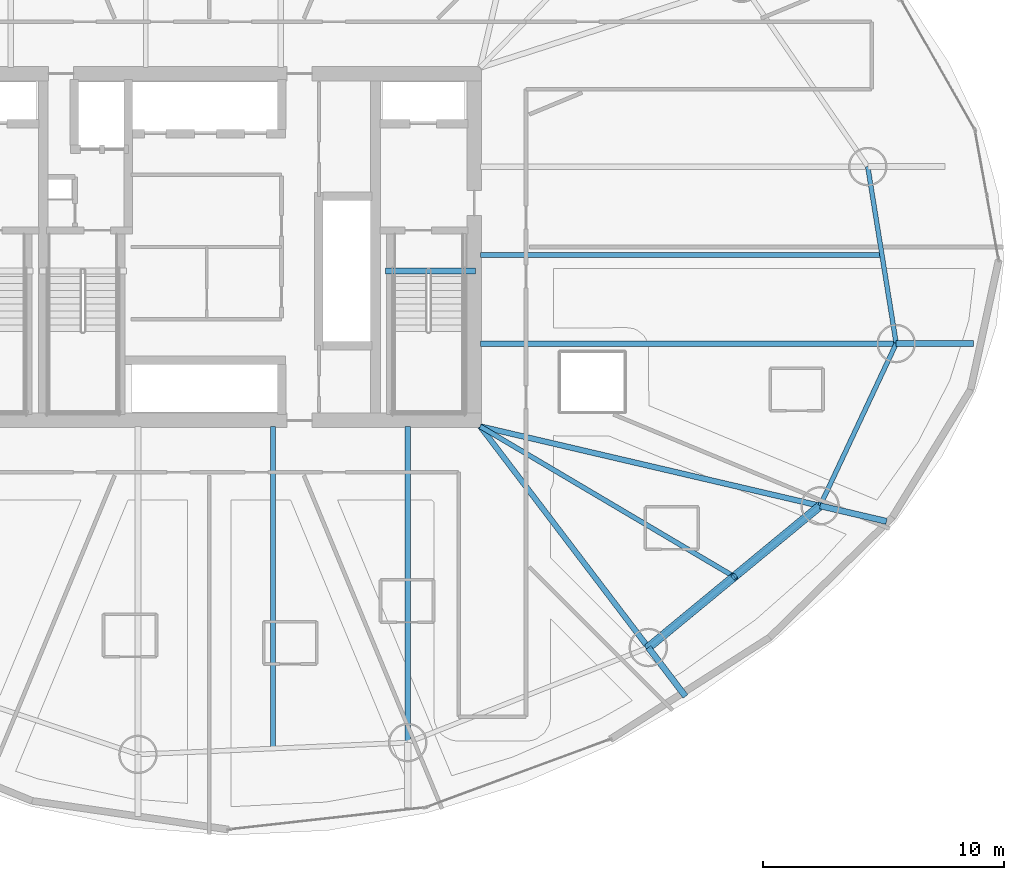
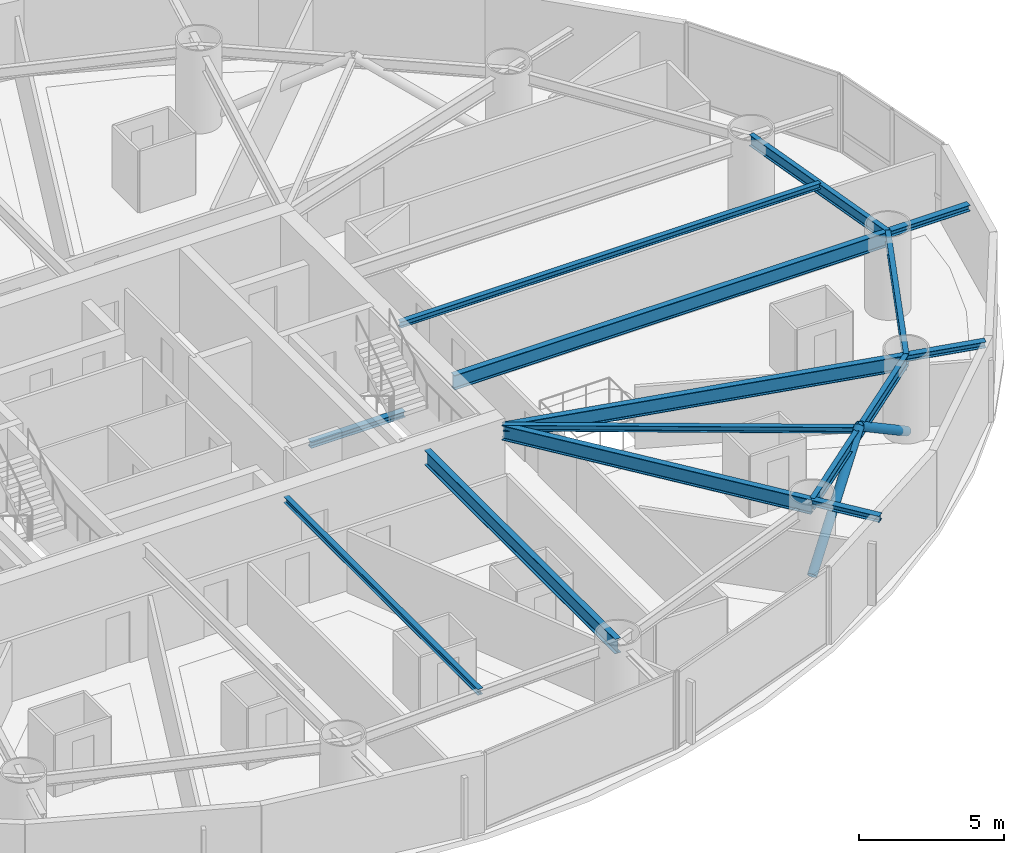
# One storey, part 10 of 27: 14 beams, 2 members.
"""IFC4 building model written with IfcOpenShell, lengths in metres."""

import ifcopenshell
import ifcopenshell.guid

model = None  # the IFC model being written
_history = None  # IfcOwnerHistory: only IFC2X3 demands one
_inside = {}  # id of a spatial element -> (the spatial element, [elements in it])
_under = {}  # id of a project, library or spatial element -> (it, [spatial elements below it])
_declared = {}  # id of a project -> (the project, [libraries it declares])
_typed = {}  # id of a type object -> (the type object, [elements of that type])
_made_of = {}  # id of a material, layer set ... -> (it, [elements and type objects made of it])


def new_model(schema):
    """Start an empty IFC model of exactly this schema.

    Asked for "IFC4X3", IfcOpenShell would pick the latest addendum, in which some entities
    have other attributes; the version numbers below select the first issue.
    IFC2X3 requires an IfcOwnerHistory on every rooted entity: one is made here for all.
    """
    global model, _history
    if schema == "IFC4X3":
        model = ifcopenshell.file(schema_version=(4, 3, 0, 0))
    else:
        model = ifcopenshell.file(schema=schema)
    _inside.clear()
    _under.clear()
    _declared.clear()
    _typed.clear()
    _made_of.clear()
    _history = None
    if model.schema == "IFC2X3":
        org = make("IfcOrganization", Name="unknown")
        user = make(
            "IfcPersonAndOrganization",
            ThePerson=make("IfcPerson", FamilyName="unknown"),
            TheOrganization=org,
        )
        app = make(
            "IfcApplication",
            ApplicationDeveloper=org,
            Version="unknown",
            ApplicationFullName="unknown",
            ApplicationIdentifier="unknown",
        )
        _history = make(
            "IfcOwnerHistory",
            OwningUser=user,
            OwningApplication=app,
            ChangeAction="ADDED",
            CreationDate=0,
        )
    return model


def make(cls, **values):
    """One entity of the class cls with the attributes given. An attribute that is None is left unset."""
    return model.create_entity(
        cls, **{name: value for name, value in values.items() if value is not None}
    )


def rooted(cls, **values):
    """An entity with a GlobalId (a new one), such as an element, a storey or a relation."""
    return make(cls, GlobalId=ifcopenshell.guid.new(), OwnerHistory=_history, **values)


def si_unit(unit_type, name, prefix=None):
    """IfcSIUnit, for example si_unit("LENGTHUNIT", "METRE", prefix="MILLI")."""
    return make("IfcSIUnit", UnitType=unit_type, Prefix=prefix, Name=name)


def assignment(units):
    """IfcUnitAssignment: the units of a project."""
    return None if units is None else make("IfcUnitAssignment", Units=units)


def point(xyz):
    """IfcCartesianPoint."""
    return None if xyz is None else make("IfcCartesianPoint", Coordinates=xyz)


def direction(xyz):
    """IfcDirection."""
    return None if xyz is None else make("IfcDirection", DirectionRatios=xyz)


def frame(location, z_axis=None, x_axis=None):
    """IfcAxis2Placement3D, a coordinate frame: its origin and axes. An axis left out is left unset."""
    return make(
        "IfcAxis2Placement3D",
        Location=point(location),
        Axis=direction(z_axis),
        RefDirection=direction(x_axis),
    )


def frame_2d(location, x_axis=None):
    """IfcAxis2Placement2D, a coordinate frame in the plane: its origin and x axis."""
    return make(
        "IfcAxis2Placement2D", Location=point(location), RefDirection=direction(x_axis)
    )


def origin():
    """The frame at (0, 0, 0) with its axes left unset."""
    return frame((0.0, 0.0, 0.0))


def origin_2d():
    """The frame at (0, 0) in the plane with its x axis left unset."""
    return frame_2d((0.0, 0.0))


def place(relative_to, where):
    """IfcLocalPlacement: puts the frame where relative to a parent placement (None: the world)."""
    return make(
        "IfcLocalPlacement", PlacementRelTo=relative_to, RelativePlacement=where
    )


def context(
    kind, dimensions, precision=None, world=None, true_north=None, identifier=None
):
    """IfcGeometricRepresentationContext, for example the 3D "Model" context."""
    return make(
        "IfcGeometricRepresentationContext",
        ContextIdentifier=identifier,
        ContextType=kind,
        CoordinateSpaceDimension=dimensions,
        Precision=precision,
        WorldCoordinateSystem=world,
        TrueNorth=true_north,
    )


def subcontext(parent, identifier, kind, view, scale=None):
    """IfcGeometricRepresentationSubContext, for example "Body" below "Model"."""
    return make(
        "IfcGeometricRepresentationSubContext",
        ContextIdentifier=identifier,
        ContextType=kind,
        ParentContext=parent,
        TargetScale=scale,
        TargetView=view,
    )


def project(units=None, contexts=None):
    """IfcProject with its units and contexts."""
    return rooted(
        "IfcProject",
        Name="project",
        RepresentationContexts=contexts,
        UnitsInContext=assignment(units),
    )


def spatial(cls, under=None, at=None, **own):
    """A site, building, storey or space (cls), placed at a placement, below another one or the project."""
    s = rooted(cls, ObjectPlacement=at, **own)
    if under is not None:
        _under.setdefault(under.id(), (under, []))[1].append(s)
    return s


def profile(cls, at=None, kind="AREA", **sizes):
    """A parametric profile (cls). Its sizes go by their IFC names, for example OverallWidth=200.0."""
    return make(cls, ProfileType=kind, Position=at, **sizes)


def hollow_circle(**sizes):
    """IfcCircleHollowProfileDef."""
    return profile("IfcCircleHollowProfileDef", **sizes)


def i_section(**sizes):
    """IfcIShapeProfileDef."""
    return profile("IfcIShapeProfileDef", **sizes)


def extrude(swept, where, along, depth):
    """IfcExtrudedAreaSolid: the profile swept, set in the frame where, extruded along a direction by depth."""
    return make(
        "IfcExtrudedAreaSolid",
        SweptArea=swept,
        Position=where,
        ExtrudedDirection=direction(along),
        Depth=depth,
    )


def shape(context_of_items, identifier, shape_type, items):
    """IfcShapeRepresentation: the items that make up one representation, for example the "Body"."""
    return make(
        "IfcShapeRepresentation",
        ContextOfItems=context_of_items,
        RepresentationIdentifier=identifier,
        RepresentationType=shape_type,
        Items=items,
    )


def material(Name=None, Category=None):
    """IfcMaterial."""
    return make("IfcMaterial", Name=Name, Category=Category)


def material_profile(
    of_material, cross_section, Name=None, Category=None, Priority=None
):
    """IfcMaterialProfile: a cross section and its material."""
    return make(
        "IfcMaterialProfile",
        Name=Name,
        Material=of_material,
        Profile=cross_section,
        Priority=Priority,
        Category=Category,
    )


def profile_set(profiles, Name=None, composite=None):
    """IfcMaterialProfileSet."""
    return make(
        "IfcMaterialProfileSet",
        Name=Name,
        MaterialProfiles=profiles,
        CompositeProfile=composite,
    )


def made_of(thing, what):
    """Note that an element or type object is made of a material, layer set ...; save() writes the relation."""
    if what is not None:
        _made_of.setdefault(what.id(), (what, []))[1].append(thing)
    return thing


def type_object(cls, material=None, **own):
    """A type object (cls), such as IfcWallType, which elements share."""
    return made_of(rooted(cls, **own), material)


def element(
    cls,
    number,
    at=None,
    inside=None,
    cuts=None,
    type_object=None,
    material=None,
    context=None,
    identifier="Body",
    shape_type=None,
    held_by="IfcProductDefinitionShape",
    body=None,
    shapes=None,
    **own,
):
    """One element of the class cls, such as IfcWall. Its Tag is "e" and its number.

    at: its placement. inside: the storey or other place that contains it. cuts: it is an
    opening in that element (IfcRelVoidsElement). A single representation is given by context,
    identifier, shape_type and body (its items); several are given by shapes. held_by: the class
    of the entity that holds the representations. save() writes the other relations.
    """
    e = rooted(cls, Tag="e%d" % number, ObjectPlacement=at, **own)
    if body is not None:
        shapes = [shape(context, identifier, shape_type, body)]
    if shapes is not None:
        e.Representation = make(held_by, Representations=shapes)
    if inside is not None:
        _inside.setdefault(inside.id(), (inside, []))[1].append(e)
    if cuts is not None:
        rooted(
            "IfcRelVoidsElement", RelatingBuildingElement=cuts, RelatedOpeningElement=e
        )
    if type_object is not None:
        _typed.setdefault(type_object.id(), (type_object, []))[1].append(e)
    return made_of(e, material)


def aggregate(whole, parts):
    """IfcRelAggregates: a whole, such as a stair, and the parts it consists of."""
    return rooted("IfcRelAggregates", RelatingObject=whole, RelatedObjects=parts)


def save(model, path):
    """Write the relations noted so far, then the file.

    IfcRelAggregates (storeys below a building ...), IfcRelContainedInSpatialStructure (elements
    in a storey), IfcRelDefinesByType, IfcRelAssociatesMaterial and IfcRelDeclares: one each for
    every whole, place, type object, material and project.
    """
    for whole, parts in _under.values():
        aggregate(whole, parts)
    for where, things in _inside.values():
        rooted(
            "IfcRelContainedInSpatialStructure",
            RelatedElements=things,
            RelatingStructure=where,
        )
    for kind, things in _typed.values():
        rooted("IfcRelDefinesByType", RelatedObjects=things, RelatingType=kind)
    for what, things in _made_of.values():
        rooted("IfcRelAssociatesMaterial", RelatedObjects=things, RelatingMaterial=what)
    for by, libraries in _declared.values():
        rooted("IfcRelDeclares", RelatingContext=by, RelatedDefinitions=libraries)
    model.write(path)


model = new_model("IFC4")

# Units and contexts
model_context = context("Model", 3, precision=1e-05, world=origin(), true_north=direction((0.0, 1.0)))
body_context = subcontext(model_context, "Body", "Model", "MODEL_VIEW")
ifc_project = project(units=[si_unit("LENGTHUNIT", "METRE"), si_unit("AREAUNIT", "SQUARE_METRE"), si_unit("VOLUMEUNIT", "CUBIC_METRE"), si_unit("PLANEANGLEUNIT", "RADIAN"), si_unit("MASSUNIT", "GRAM", prefix="KILO")], contexts=[model_context])

# Site, building, storey
site_placement = place(None, origin())
site = spatial("IfcSite", under=ifc_project, at=site_placement, CompositionType="ELEMENT")
building_placement = place(site_placement, origin())
building = spatial("IfcBuilding", under=site, at=building_placement, Name="Bramvorn Convention Spire", CompositionType="ELEMENT")
storey_placement = place(building_placement, frame((0.0, 0.0, 41.39990234375)))
storey = spatial("IfcBuildingStorey", under=building, at=storey_placement, Name="L07", CompositionType="ELEMENT", Elevation=41.39990234375)

# Beams
ifc_material = material(Name="Steel CSA G40.21 Grade 350 (350W)", Category="steel")
ifc_material_profile_1 = material_profile(ifc_material, i_section(OverallWidth=0.201904296875, OverallDepth=0.2470703125, WebThickness=0.00732421875, FlangeThickness=0.010986328125, FilletRadius=0.011962890625, at=origin_2d()))
ifc_profile_set_1 = profile_set([ifc_material_profile_1], Name="Steel CSA G40.21 Grade 350 (350W) - W250X49")
beam_type_1 = type_object("IfcBeamType", Name="BM-W250X49", PredefinedType="JOIST", material=ifc_profile_set_1)
beam_1_placement = place(storey_placement, frame((49.25, 25.666015625, 3.126708984375), z_axis=(1.0, 0.0, 0.0), x_axis=(0.0, 1.0, 0.0)))
element("IfcBeam", 1, at=beam_1_placement, inside=storey, type_object=beam_type_1, Name="L07 composite floor joist 01", PredefinedType="JOIST", context=body_context, shape_type="SweptSolid", body=[
    extrude(i_section(OverallWidth=0.201904296875, OverallDepth=0.2470703125, WebThickness=0.00732421875, FlangeThickness=0.010986328125, FilletRadius=0.011962890625, at=origin_2d()), origin(), (0.0, 0.0, 1.0), 16.67919921875),
])
beam_2_placement = place(storey_placement, frame((40.638427734375, 18.550048828125, 3.126708984375), z_axis=(0.0, -1.0, 0.0), x_axis=(1.0, 0.0, 0.0)))
element("IfcBeam", 2, at=beam_2_placement, inside=storey, type_object=beam_type_1, Name="L07 composite floor joist 13", PredefinedType="JOIST", context=body_context, shape_type="SweptSolid", body=[
    extrude(i_section(OverallWidth=0.201904296875, OverallDepth=0.2470703125, WebThickness=0.00732421875, FlangeThickness=0.010986328125, FilletRadius=0.011962890625, at=origin_2d()), origin(), (0.0, 0.0, 1.0), 13.372802734375),
])
beam_3_placement = place(storey_placement, frame((49.25, 18.550048828125, 3.126708984375), z_axis=(0.860664556648, -0.509172388223, 0.0), x_axis=(0.509172388223, 0.860664556648, 0.0)))
element("IfcBeam", 3, at=beam_3_placement, inside=storey, type_object=beam_type_1, Name="L07 composite floor joist 15", PredefinedType="JOIST", context=body_context, shape_type="SweptSolid", body=[
    extrude(i_section(OverallWidth=0.201904296875, OverallDepth=0.2470703125, WebThickness=0.00732421875, FlangeThickness=0.010986328125, FilletRadius=0.011962890625, at=origin_2d()), origin(), (0.0, 0.0, 1.0), 12.25048828125),
])
ifc_material_profile_2 = material_profile(ifc_material, i_section(OverallWidth=0.25390625, OverallDepth=0.2529296875, WebThickness=0.008544921875, FlangeThickness=0.01416015625, FilletRadius=0.011962890625, at=origin_2d()))
ifc_profile_set_2 = profile_set([ifc_material_profile_2], Name="Steel CSA G40.21 Grade 350 (350W) - W250X73")
beam_type_2 = type_object("IfcBeamType", Name="BM-W250X73", PredefinedType="BEAM", material=ifc_profile_set_2)
beam_4_placement = place(storey_placement, frame((66.519775390625, 21.99169921875, 3.12353515625), z_axis=(1.0, 0.0, 0.0), x_axis=(0.0, 1.0, 0.0)))
element("IfcBeam", 4, at=beam_4_placement, inside=storey, type_object=beam_type_2, Name="L07 slab-edge cantilever tip beam MC01", PredefinedType="BEAM", context=body_context, shape_type="SweptSolid", body=[
    extrude(i_section(OverallWidth=0.25390625, OverallDepth=0.2529296875, WebThickness=0.008544921875, FlangeThickness=0.01416015625, FilletRadius=0.011962890625, at=origin_2d()), origin(), (0.0, 0.0, 1.0), 3.199951171875),
])
beam_5_placement = place(storey_placement, frame((56.227783203125, 9.371337890625, 3.12353515625), z_axis=(0.605214435584, -0.796062489357, 0.0), x_axis=(0.796062489357, 0.605214435584, 0.0)))
element("IfcBeam", 5, at=beam_5_placement, inside=storey, type_object=beam_type_2, Name="L07 slab-edge cantilever tip beam MC15", PredefinedType="BEAM", context=body_context, shape_type="SweptSolid", body=[
    extrude(i_section(OverallWidth=0.25390625, OverallDepth=0.2529296875, WebThickness=0.008544921875, FlangeThickness=0.01416015625, FilletRadius=0.011962890625, at=origin_2d()), origin(), (0.0, 0.0, 1.0), 2.54833984375),
])
beam_6_placement = place(storey_placement, frame((63.35888671875, 15.253662109375, 3.12353515625), z_axis=(0.973770650682, -0.227531799691, 0.0), x_axis=(0.227531799691, 0.973770650682, 0.0)))
element("IfcBeam", 6, at=beam_6_placement, inside=storey, type_object=beam_type_2, Name="L07 slab-edge cantilever tip beam MC16", PredefinedType="BEAM", context=body_context, shape_type="SweptSolid", body=[
    extrude(i_section(OverallWidth=0.25390625, OverallDepth=0.2529296875, WebThickness=0.008544921875, FlangeThickness=0.01416015625, FilletRadius=0.011962890625, at=origin_2d()), origin(), (0.0, 0.0, 1.0), 2.8349609375),
])
beam_7_placement = place(storey_placement, frame((45.31005859375, 25.010009765625, -0.12646484375), z_axis=(1.0, 0.0, 0.0), x_axis=(0.0, 1.0, 0.0)))
element("IfcBeam", 7, at=beam_7_placement, inside=storey, type_object=beam_type_2, Name="L07 ST2 stair arrival header beam", PredefinedType="BEAM", context=body_context, shape_type="SweptSolid", body=[
    extrude(i_section(OverallWidth=0.25390625, OverallDepth=0.2529296875, WebThickness=0.008544921875, FlangeThickness=0.01416015625, FilletRadius=0.011962890625, at=origin_2d()), origin(), (0.0, 0.0, 1.0), 3.739990234375),
])
ifc_material_profile_3 = material_profile(ifc_material, i_section(OverallWidth=0.194091796875, OverallDepth=0.468994140625, WebThickness=0.0126953125, FlangeThickness=0.0205078125, FilletRadius=0.01806640625, at=origin_2d()))
ifc_profile_set_3 = profile_set([ifc_material_profile_3], Name="Steel CSA G40.21 Grade 350 (350W) - W460X106")
beam_type_3 = type_object("IfcBeamType", Name="BM-W460X106", PredefinedType="SPANDREL", material=ifc_profile_set_3)
beam_8_placement = place(storey_placement, frame((66.519775390625, 21.99169921875, 3.015625), z_axis=(-0.158699222824, 0.987326975563, 0.0), x_axis=(-0.987326975563, -0.158699222824, 0.0)))
element("IfcBeam", 8, at=beam_8_placement, inside=storey, type_object=beam_type_3, Name="L07 mega-column ring beam 01", PredefinedType="SPANDREL", context=body_context, shape_type="SweptSolid", body=[
    extrude(i_section(OverallWidth=0.194091796875, OverallDepth=0.468994140625, WebThickness=0.0126953125, FlangeThickness=0.0205078125, FilletRadius=0.01806640625, at=origin_2d()), origin(), (0.0, 0.0, 1.0), 7.442626953125),
])
beam_9_placement = place(storey_placement, frame((56.227783203125, 9.371337890625, 3.015625), z_axis=(0.771417680101, 0.636329130896, 0.0), x_axis=(-0.636329130896, 0.771417680101, 0.0)))
element("IfcBeam", 9, at=beam_9_placement, inside=storey, type_object=beam_type_3, Name="L07 mega-column ring beam 15", PredefinedType="SPANDREL", context=body_context, shape_type="SweptSolid", body=[
    extrude(i_section(OverallWidth=0.194091796875, OverallDepth=0.468994140625, WebThickness=0.0126953125, FlangeThickness=0.0205078125, FilletRadius=0.01806640625, at=origin_2d()), origin(), (0.0, 0.0, 1.0), 9.244140625),
])
beam_10_placement = place(storey_placement, frame((63.35888671875, 15.253662109375, 3.015625), z_axis=(0.424701955478, 0.9053332254, 0.0), x_axis=(-0.9053332254, 0.424701955478, 0.0)))
element("IfcBeam", 10, at=beam_10_placement, inside=storey, type_object=beam_type_3, Name="L07 mega-column ring beam 16", PredefinedType="SPANDREL", context=body_context, shape_type="SweptSolid", body=[
    extrude(i_section(OverallWidth=0.194091796875, OverallDepth=0.468994140625, WebThickness=0.0126953125, FlangeThickness=0.0205078125, FilletRadius=0.01806640625, at=origin_2d()), origin(), (0.0, 0.0, 1.0), 7.442626953125),
])
ifc_material_profile_4 = material_profile(ifc_material, i_section(OverallWidth=0.22998046875, OverallDepth=0.616943359375, WebThickness=0.01318359375, FlangeThickness=0.022216796875, FilletRadius=0.02001953125, at=origin_2d()))
ifc_profile_set_4 = profile_set([ifc_material_profile_4], Name="Steel CSA G40.21 Grade 350 (350W) - W610X140")
beam_type_4 = type_object("IfcBeamType", Name="BM-W610X140", PredefinedType="BEAM", material=ifc_profile_set_4)
beam_11_placement = place(storey_placement, frame((49.25, 21.99169921875, 2.941650390625), z_axis=(1.0, 0.0, 0.0), x_axis=(0.0, 1.0, 0.0)))
element("IfcBeam", 11, at=beam_11_placement, inside=storey, type_object=beam_type_4, Name="L07 radial floor girder MC01", PredefinedType="BEAM", context=body_context, shape_type="SweptSolid", body=[
    extrude(i_section(OverallWidth=0.22998046875, OverallDepth=0.616943359375, WebThickness=0.01318359375, FlangeThickness=0.022216796875, FilletRadius=0.02001953125, at=origin_2d()), origin(), (0.0, 0.0, 1.0), 17.269775390625),
])
beam_12_placement = place(storey_placement, frame((46.23779296875, 18.550048828125, 2.941650390625), z_axis=(0.0, -1.0, 0.0), x_axis=(1.0, 0.0, 0.0)))
element("IfcBeam", 12, at=beam_12_placement, inside=storey, type_object=beam_type_4, Name="L07 radial floor girder MC14", PredefinedType="BEAM", context=body_context, shape_type="SweptSolid", body=[
    extrude(i_section(OverallWidth=0.22998046875, OverallDepth=0.616943359375, WebThickness=0.01318359375, FlangeThickness=0.022216796875, FilletRadius=0.02001953125, at=origin_2d()), origin(), (0.0, 0.0, 1.0), 13.126708984375),
])
beam_13_placement = place(storey_placement, frame((49.25, 18.550048828125, 2.941650390625), z_axis=(0.605191175112, -0.796080172826, 0.0), x_axis=(0.796080172826, 0.605191175112, 0.0)))
element("IfcBeam", 13, at=beam_13_placement, inside=storey, type_object=beam_type_4, Name="L07 radial floor girder MC15", PredefinedType="BEAM", context=body_context, shape_type="SweptSolid", body=[
    extrude(i_section(OverallWidth=0.22998046875, OverallDepth=0.616943359375, WebThickness=0.01318359375, FlangeThickness=0.022216796875, FilletRadius=0.02001953125, at=origin_2d()), origin(), (0.0, 0.0, 1.0), 11.52978515625),
])
beam_14_placement = place(storey_placement, frame((49.25, 18.550048828125, 2.941650390625), z_axis=(0.973775294862, -0.227511923018, 0.0), x_axis=(0.227511923018, 0.973775294862, 0.0)))
element("IfcBeam", 14, at=beam_14_placement, inside=storey, type_object=beam_type_4, Name="L07 radial floor girder MC16", PredefinedType="BEAM", context=body_context, shape_type="SweptSolid", body=[
    extrude(i_section(OverallWidth=0.22998046875, OverallDepth=0.616943359375, WebThickness=0.01318359375, FlangeThickness=0.022216796875, FilletRadius=0.02001953125, at=origin_2d()), origin(), (0.0, 0.0, 1.0), 14.48876953125),
])

# Members
ifc_material_profile_5 = material_profile(ifc_material, hollow_circle(Radius=0.177734375, WallThickness=0.015869140625, at=origin_2d()))
ifc_profile_set_5 = profile_set([ifc_material_profile_5], Name="Steel CSA G40.21 Grade 350 (350W) - CHS356X16")
member_type = type_object("IfcMemberType", Name="MBR-CHS356X16", PredefinedType="BRACE", material=ifc_profile_set_5)
member_1_placement = place(storey_placement, frame((56.227783203125, 9.371337890625, 0.0), z_axis=(0.631048588012, 0.520523268728, 0.575181020446), x_axis=(-0.636316166913, 0.771428373684, 0.0)))
element("IfcMember", 15, at=member_1_placement, inside=storey, type_object=member_type, Name="L07 perimeter Gothic lancet brace 15A", PredefinedType="BRACE", context=body_context, shape_type="SweptSolid", body=[
    extrude(hollow_circle(Radius=0.177734375, WallThickness=0.015869140625, at=origin_2d()), origin(), (0.0, 0.0, 1.0), 5.650390625),
])
member_2_placement = place(storey_placement, frame((63.35888671875, 15.253662109375, 0.0), z_axis=(-0.631022585513, -0.520537461495, 0.57519670353), x_axis=(0.636342095228, -0.771406985865, 0.0)))
element("IfcMember", 16, at=member_2_placement, inside=storey, type_object=member_type, Name="L07 perimeter Gothic lancet brace 15B", PredefinedType="BRACE", context=body_context, shape_type="SweptSolid", body=[
    extrude(hollow_circle(Radius=0.177734375, WallThickness=0.015869140625, at=origin_2d()), origin(), (0.0, 0.0, 1.0), 5.650146484375),
])

save(model, "model.ifc")
